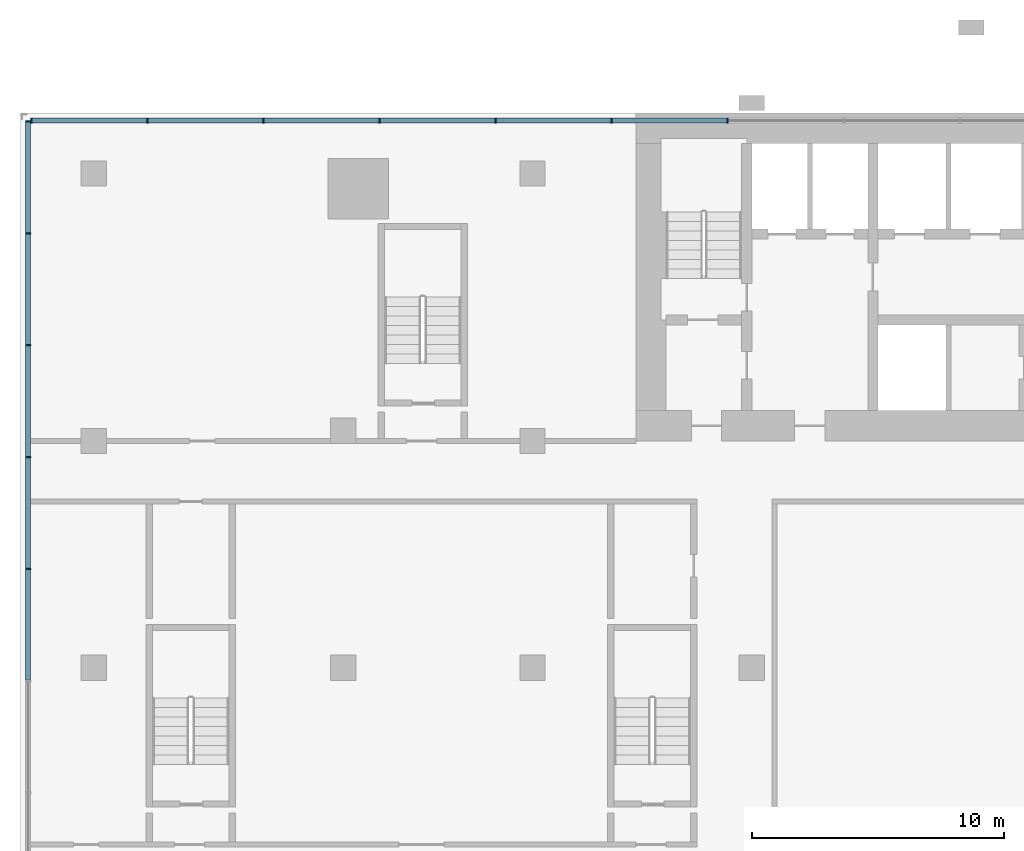
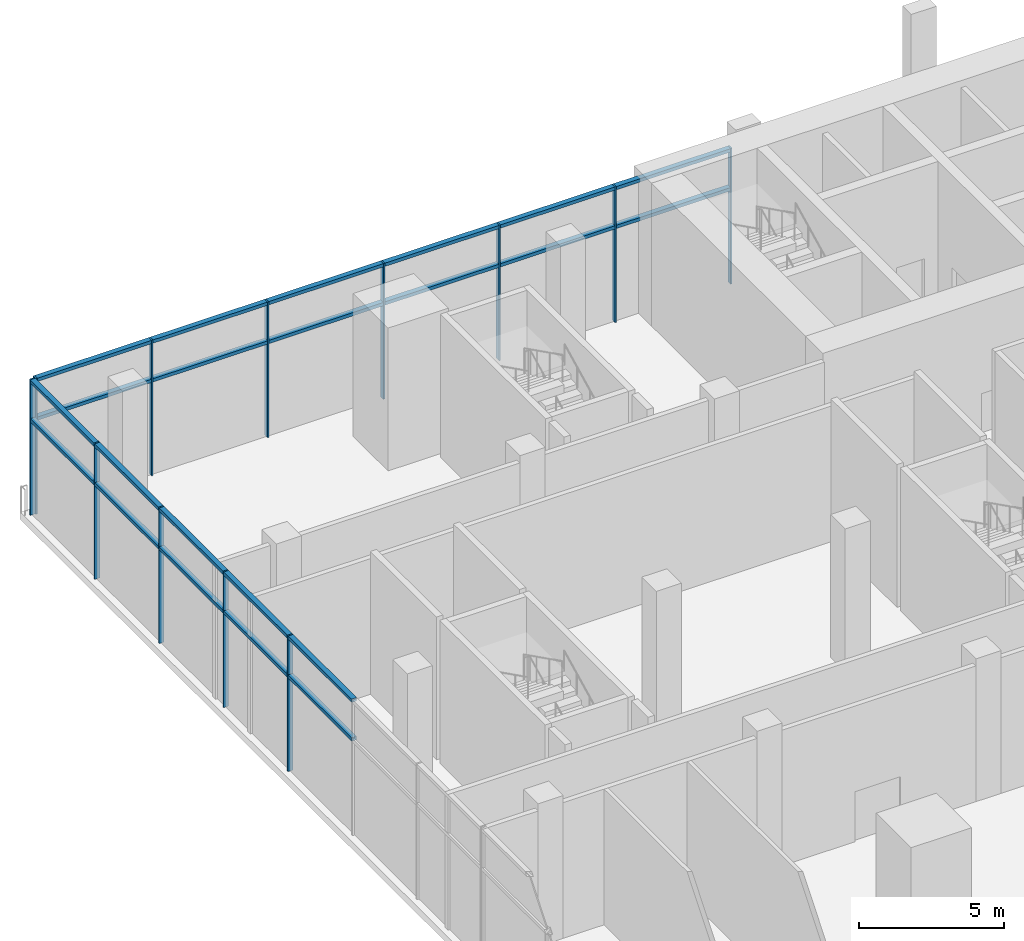
# One storey, part 5 of 21: 34 members, 2 elements without a shape of their own.
"""IFC4 building model written with IfcOpenShell, lengths in metres."""

from ifc_helpers import new_model, si_unit, direction, frame, origin, origin_2d, place, context, subcontext, project, spatial, rectangle, extrude, material, material_profile, profile_set, type_object, element, aggregate, save


model = new_model("IFC4")

# Units and contexts
model_context = context("Model", 3, precision=1e-05, world=origin(), true_north=direction((0.0, 1.0)))
body_context = subcontext(model_context, "Body", "Model", "MODEL_VIEW")
ifc_project = project(units=[si_unit("LENGTHUNIT", "METRE"), si_unit("AREAUNIT", "SQUARE_METRE"), si_unit("VOLUMEUNIT", "CUBIC_METRE"), si_unit("PLANEANGLEUNIT", "RADIAN"), si_unit("MASSUNIT", "GRAM", prefix="KILO")], contexts=[model_context])

# Site, building, storey
site_placement = place(None, origin())
site = spatial("IfcSite", under=ifc_project, at=site_placement, CompositionType="ELEMENT")
building_placement = place(site_placement, origin())
building = spatial("IfcBuilding", under=site, at=building_placement, Name="Bicima Exchange Tower", CompositionType="ELEMENT")
storey_placement = place(building_placement, frame((0.0, 0.0, 8.0)))
storey = spatial("IfcBuildingStorey", under=building, at=storey_placement, Name="L01", CompositionType="ELEMENT", Elevation=8.0)

# Curtain wall, members
ifc_material = material(Name="Anodised bronze aluminium", Category="aluminium")
curtain_wall_type = type_object("IfcCurtainWallType", Name="Lobby glazing", PredefinedType="NOTDEFINED", material=ifc_material)
curtain_wall_1_placement = place(storey_placement, origin())
curtain_wall_1 = element("IfcCurtainWall", 1, at=curtain_wall_1_placement, inside=storey, type_object=curtain_wall_type, Name="Podium glazing L01 north 1", PredefinedType="NOTDEFINED")
ifc_material_profile_1 = material_profile(ifc_material, rectangle(XDim=0.199951171875, YDim=0.06005859375, at=origin_2d()))
ifc_profile_set_1 = profile_set([ifc_material_profile_1], Name="Anodised bronze aluminium")
member_type_1 = type_object("IfcMemberType", Name="Lobby glazing mullion 60 x 200", PredefinedType="MULLION", material=ifc_profile_set_1)
member_1_placement = place(storey_placement, frame((-18.35791015625, -0.300048828125, 0.0), z_axis=(0.0, 0.0, 1.0), x_axis=(0.0, -1.0, 0.0)))
member_1 = element("IfcMember", 2, at=member_1_placement, type_object=member_type_1, Name="Lobby glazing mullion 15", PredefinedType="MULLION", context=body_context, shape_type="SweptSolid", body=[
    extrude(rectangle(XDim=0.199951171875, YDim=0.06005859375, at=origin_2d()), origin(), (0.0, 0.0, 1.0), 5.699951171875),
])
member_2_placement = place(storey_placement, frame((-22.9599609375, -0.300048828125, 0.0), z_axis=(0.0, 0.0, 1.0), x_axis=(0.0, -1.0, 0.0)))
member_2 = element("IfcMember", 3, at=member_2_placement, type_object=member_type_1, Name="Lobby glazing mullion 16", PredefinedType="MULLION", context=body_context, shape_type="SweptSolid", body=[
    extrude(rectangle(XDim=0.199951171875, YDim=0.06005859375, at=origin_2d()), origin(), (0.0, 0.0, 1.0), 5.699951171875),
])
member_3_placement = place(storey_placement, frame((-27.56201171875, -0.300048828125, 0.0), z_axis=(0.0, 0.0, 1.0), x_axis=(0.0, -1.0, 0.0)))
member_3 = element("IfcMember", 4, at=member_3_placement, type_object=member_type_1, Name="Lobby glazing mullion 17", PredefinedType="MULLION", context=body_context, shape_type="SweptSolid", body=[
    extrude(rectangle(XDim=0.199951171875, YDim=0.06005859375, at=origin_2d()), origin(), (0.0, 0.0, 1.0), 5.699951171875),
])
member_4_placement = place(storey_placement, frame((-32.1640625, -0.300048828125, 0.0), z_axis=(0.0, 0.0, 1.0), x_axis=(0.0, -1.0, 0.0)))
member_4 = element("IfcMember", 5, at=member_4_placement, type_object=member_type_1, Name="Lobby glazing mullion 18", PredefinedType="MULLION", context=body_context, shape_type="SweptSolid", body=[
    extrude(rectangle(XDim=0.199951171875, YDim=0.06005859375, at=origin_2d()), origin(), (0.0, 0.0, 1.0), 5.699951171875),
])
member_5_placement = place(storey_placement, frame((-36.76611328125, -0.300048828125, 0.0), z_axis=(0.0, 0.0, 1.0), x_axis=(0.0, -1.0, 0.0)))
member_5 = element("IfcMember", 6, at=member_5_placement, type_object=member_type_1, Name="Lobby glazing mullion 19", PredefinedType="MULLION", context=body_context, shape_type="SweptSolid", body=[
    extrude(rectangle(XDim=0.199951171875, YDim=0.06005859375, at=origin_2d()), origin(), (0.0, 0.0, 1.0), 5.699951171875),
])
member_6_placement = place(storey_placement, frame((-41.367919921875, -0.300048828125, 0.0), z_axis=(0.0, 0.0, 1.0), x_axis=(0.0, -1.0, 0.0)))
member_6 = element("IfcMember", 7, at=member_6_placement, type_object=member_type_1, Name="Lobby glazing mullion 20", PredefinedType="MULLION", context=body_context, shape_type="SweptSolid", body=[
    extrude(rectangle(XDim=0.199951171875, YDim=0.06005859375, at=origin_2d()), origin(), (0.0, 0.0, 1.0), 5.699951171875),
])
member_7_placement = place(storey_placement, frame((-45.969970703125, -0.300048828125, 0.0), z_axis=(0.0, 0.0, 1.0), x_axis=(0.0, -1.0, 0.0)))
member_7 = element("IfcMember", 8, at=member_7_placement, type_object=member_type_1, Name="Lobby glazing mullion 21", PredefinedType="MULLION", context=body_context, shape_type="SweptSolid", body=[
    extrude(rectangle(XDim=0.199951171875, YDim=0.06005859375, at=origin_2d()), origin(), (0.0, 0.0, 1.0), 5.699951171875),
])

curtain_wall_2_placement = place(storey_placement, origin())
curtain_wall_2 = element("IfcCurtainWall", 9, at=curtain_wall_2_placement, inside=storey, type_object=curtain_wall_type, Name="Podium glazing L01 west 1", PredefinedType="NOTDEFINED")
member_8_placement = place(storey_placement, frame((-46.10009765625, -0.330078125, 0.0), z_axis=(0.0, 0.0, 1.0), x_axis=(1.0, 0.0, 0.0)))
member_8 = element("IfcMember", 10, at=member_8_placement, type_object=member_type_1, Name="Lobby glazing mullion 1", PredefinedType="MULLION", context=body_context, shape_type="SweptSolid", body=[
    extrude(rectangle(XDim=0.199951171875, YDim=0.06005859375, at=origin_2d()), origin(), (0.0, 0.0, 1.0), 5.699951171875),
])
member_9_placement = place(storey_placement, frame((-46.10009765625, -4.7666015625, 0.0), z_axis=(0.0, 0.0, 1.0), x_axis=(1.0, 0.0, 0.0)))
member_9 = element("IfcMember", 11, at=member_9_placement, type_object=member_type_1, Name="Lobby glazing mullion 2", PredefinedType="MULLION", context=body_context, shape_type="SweptSolid", body=[
    extrude(rectangle(XDim=0.199951171875, YDim=0.06005859375, at=origin_2d()), origin(), (0.0, 0.0, 1.0), 5.699951171875),
])
member_10_placement = place(storey_placement, frame((-46.10009765625, -9.203369140625, 0.0), z_axis=(0.0, 0.0, 1.0), x_axis=(1.0, 0.0, 0.0)))
member_10 = element("IfcMember", 12, at=member_10_placement, type_object=member_type_1, Name="Lobby glazing mullion 3", PredefinedType="MULLION", context=body_context, shape_type="SweptSolid", body=[
    extrude(rectangle(XDim=0.199951171875, YDim=0.06005859375, at=origin_2d()), origin(), (0.0, 0.0, 1.0), 5.699951171875),
])
member_11_placement = place(storey_placement, frame((-46.10009765625, -13.639892578125, 0.0), z_axis=(0.0, 0.0, 1.0), x_axis=(1.0, 0.0, 0.0)))
member_11 = element("IfcMember", 13, at=member_11_placement, type_object=member_type_1, Name="Lobby glazing mullion 4", PredefinedType="MULLION", context=body_context, shape_type="SweptSolid", body=[
    extrude(rectangle(XDim=0.199951171875, YDim=0.06005859375, at=origin_2d()), origin(), (0.0, 0.0, 1.0), 5.699951171875),
])
member_12_placement = place(storey_placement, frame((-46.10009765625, -18.07666015625, 0.0), z_axis=(0.0, 0.0, 1.0), x_axis=(1.0, 0.0, 0.0)))
member_12 = element("IfcMember", 14, at=member_12_placement, type_object=member_type_1, Name="Lobby glazing mullion 5", PredefinedType="MULLION", context=body_context, shape_type="SweptSolid", body=[
    extrude(rectangle(XDim=0.199951171875, YDim=0.06005859375, at=origin_2d()), origin(), (0.0, 0.0, 1.0), 5.699951171875),
])

# Member
ifc_material_profile_2 = material_profile(ifc_material, rectangle(XDim=0.199951171875, YDim=0.139892578125, at=origin_2d()))
ifc_profile_set_2 = profile_set([ifc_material_profile_2], Name="Anodised bronze aluminium")
member_type_2 = type_object("IfcMemberType", Name="Lobby glazing transom 140 x 200", PredefinedType="USERDEFINED", material=ifc_profile_set_2)
member_13_placement = place(storey_placement, frame((-18.387939453125, -0.300048828125, 4.0), z_axis=(-1.0, 0.0, 0.0), x_axis=(0.0, -1.0, 0.0)))
member_13 = element("IfcMember", 15, at=member_13_placement, type_object=member_type_2, Name="Lobby glazing transom 15.1", ObjectType="TRANSOM", PredefinedType="USERDEFINED", context=body_context, shape_type="SweptSolid", body=[
    extrude(rectangle(XDim=0.199951171875, YDim=0.139892578125, at=origin_2d()), origin(), (0.0, 0.0, 1.0), 4.5419921875),
])

member_14_placement = place(storey_placement, frame((-18.387939453125, -0.300048828125, 5.6298828125), z_axis=(-1.0, 0.0, 0.0), x_axis=(0.0, -1.0, 0.0)))
member_14 = element("IfcMember", 16, at=member_14_placement, type_object=member_type_2, Name="Lobby glazing transom 15.2", ObjectType="TRANSOM", PredefinedType="USERDEFINED", context=body_context, shape_type="SweptSolid", body=[
    extrude(rectangle(XDim=0.199951171875, YDim=0.139892578125, at=origin_2d()), origin(), (0.0, 0.0, 1.0), 4.5419921875),
])

member_15_placement = place(storey_placement, frame((-22.989990234375, -0.300048828125, 4.0), z_axis=(-1.0, 0.0, 0.0), x_axis=(0.0, -1.0, 0.0)))
member_15 = element("IfcMember", 17, at=member_15_placement, type_object=member_type_2, Name="Lobby glazing transom 16.1", ObjectType="TRANSOM", PredefinedType="USERDEFINED", context=body_context, shape_type="SweptSolid", body=[
    extrude(rectangle(XDim=0.199951171875, YDim=0.139892578125, at=origin_2d()), origin(), (0.0, 0.0, 1.0), 4.5419921875),
])

member_16_placement = place(storey_placement, frame((-22.989990234375, -0.300048828125, 5.6298828125), z_axis=(-1.0, 0.0, 0.0), x_axis=(0.0, -1.0, 0.0)))
member_16 = element("IfcMember", 18, at=member_16_placement, type_object=member_type_2, Name="Lobby glazing transom 16.2", ObjectType="TRANSOM", PredefinedType="USERDEFINED", context=body_context, shape_type="SweptSolid", body=[
    extrude(rectangle(XDim=0.199951171875, YDim=0.139892578125, at=origin_2d()), origin(), (0.0, 0.0, 1.0), 4.5419921875),
])

member_17_placement = place(storey_placement, frame((-27.592041015625, -0.300048828125, 4.0), z_axis=(-1.0, 0.0, 0.0), x_axis=(0.0, -1.0, 0.0)))
member_17 = element("IfcMember", 19, at=member_17_placement, type_object=member_type_2, Name="Lobby glazing transom 17.1", ObjectType="TRANSOM", PredefinedType="USERDEFINED", context=body_context, shape_type="SweptSolid", body=[
    extrude(rectangle(XDim=0.199951171875, YDim=0.139892578125, at=origin_2d()), origin(), (0.0, 0.0, 1.0), 4.5419921875),
])

member_18_placement = place(storey_placement, frame((-27.592041015625, -0.300048828125, 5.6298828125), z_axis=(-1.0, 0.0, 0.0), x_axis=(0.0, -1.0, 0.0)))
member_18 = element("IfcMember", 20, at=member_18_placement, type_object=member_type_2, Name="Lobby glazing transom 17.2", ObjectType="TRANSOM", PredefinedType="USERDEFINED", context=body_context, shape_type="SweptSolid", body=[
    extrude(rectangle(XDim=0.199951171875, YDim=0.139892578125, at=origin_2d()), origin(), (0.0, 0.0, 1.0), 4.5419921875),
])

member_19_placement = place(storey_placement, frame((-32.194091796875, -0.300048828125, 4.0), z_axis=(-1.0, 0.0, 0.0), x_axis=(0.0, -1.0, 0.0)))
member_19 = element("IfcMember", 21, at=member_19_placement, type_object=member_type_2, Name="Lobby glazing transom 18.1", ObjectType="TRANSOM", PredefinedType="USERDEFINED", context=body_context, shape_type="SweptSolid", body=[
    extrude(rectangle(XDim=0.199951171875, YDim=0.139892578125, at=origin_2d()), origin(), (0.0, 0.0, 1.0), 4.5419921875),
])

member_20_placement = place(storey_placement, frame((-32.194091796875, -0.300048828125, 5.6298828125), z_axis=(-1.0, 0.0, 0.0), x_axis=(0.0, -1.0, 0.0)))
member_20 = element("IfcMember", 22, at=member_20_placement, type_object=member_type_2, Name="Lobby glazing transom 18.2", ObjectType="TRANSOM", PredefinedType="USERDEFINED", context=body_context, shape_type="SweptSolid", body=[
    extrude(rectangle(XDim=0.199951171875, YDim=0.139892578125, at=origin_2d()), origin(), (0.0, 0.0, 1.0), 4.5419921875),
])

member_21_placement = place(storey_placement, frame((-36.7958984375, -0.300048828125, 4.0), z_axis=(-1.0, 0.0, 0.0), x_axis=(0.0, -1.0, 0.0)))
member_21 = element("IfcMember", 23, at=member_21_placement, type_object=member_type_2, Name="Lobby glazing transom 19.1", ObjectType="TRANSOM", PredefinedType="USERDEFINED", context=body_context, shape_type="SweptSolid", body=[
    extrude(rectangle(XDim=0.199951171875, YDim=0.139892578125, at=origin_2d()), origin(), (0.0, 0.0, 1.0), 4.5419921875),
])

member_22_placement = place(storey_placement, frame((-36.7958984375, -0.300048828125, 5.6298828125), z_axis=(-1.0, 0.0, 0.0), x_axis=(0.0, -1.0, 0.0)))
member_22 = element("IfcMember", 24, at=member_22_placement, type_object=member_type_2, Name="Lobby glazing transom 19.2", ObjectType="TRANSOM", PredefinedType="USERDEFINED", context=body_context, shape_type="SweptSolid", body=[
    extrude(rectangle(XDim=0.199951171875, YDim=0.139892578125, at=origin_2d()), origin(), (0.0, 0.0, 1.0), 4.5419921875),
])

member_23_placement = place(storey_placement, frame((-41.39794921875, -0.300048828125, 4.0), z_axis=(-1.0, 0.0, 0.0), x_axis=(0.0, -1.0, 0.0)))
member_23 = element("IfcMember", 25, at=member_23_placement, type_object=member_type_2, Name="Lobby glazing transom 20.1", ObjectType="TRANSOM", PredefinedType="USERDEFINED", context=body_context, shape_type="SweptSolid", body=[
    extrude(rectangle(XDim=0.199951171875, YDim=0.139892578125, at=origin_2d()), origin(), (0.0, 0.0, 1.0), 4.5419921875),
])

member_24_placement = place(storey_placement, frame((-41.39794921875, -0.300048828125, 5.6298828125), z_axis=(-1.0, 0.0, 0.0), x_axis=(0.0, -1.0, 0.0)))
member_24 = element("IfcMember", 26, at=member_24_placement, type_object=member_type_2, Name="Lobby glazing transom 20.2", ObjectType="TRANSOM", PredefinedType="USERDEFINED", context=body_context, shape_type="SweptSolid", body=[
    extrude(rectangle(XDim=0.199951171875, YDim=0.139892578125, at=origin_2d()), origin(), (0.0, 0.0, 1.0), 4.5419921875),
])

aggregate(curtain_wall_1, [member_1, member_2, member_3, member_4, member_5, member_6, member_7, member_13, member_14, member_15, member_16, member_17, member_18, member_19, member_20, member_21, member_22, member_23, member_24])

member_25_placement = place(storey_placement, frame((-46.10009765625, -0.360107421875, 4.0), z_axis=(0.0, -1.0, 0.0), x_axis=(1.0, 0.0, 0.0)))
member_25 = element("IfcMember", 27, at=member_25_placement, type_object=member_type_2, Name="Lobby glazing transom 1.1", ObjectType="TRANSOM", PredefinedType="USERDEFINED", context=body_context, shape_type="SweptSolid", body=[
    extrude(rectangle(XDim=0.199951171875, YDim=0.139892578125, at=origin_2d()), origin(), (0.0, 0.0, 1.0), 4.376708984375),
])

member_26_placement = place(storey_placement, frame((-46.10009765625, -0.360107421875, 5.6298828125), z_axis=(0.0, -1.0, 0.0), x_axis=(1.0, 0.0, 0.0)))
member_26 = element("IfcMember", 28, at=member_26_placement, type_object=member_type_2, Name="Lobby glazing transom 1.2", ObjectType="TRANSOM", PredefinedType="USERDEFINED", context=body_context, shape_type="SweptSolid", body=[
    extrude(rectangle(XDim=0.199951171875, YDim=0.139892578125, at=origin_2d()), origin(), (0.0, 0.0, 1.0), 4.376708984375),
])

member_27_placement = place(storey_placement, frame((-46.10009765625, -4.796630859375, 4.0), z_axis=(0.0, -1.0, 0.0), x_axis=(1.0, 0.0, 0.0)))
member_27 = element("IfcMember", 29, at=member_27_placement, type_object=member_type_2, Name="Lobby glazing transom 2.1", ObjectType="TRANSOM", PredefinedType="USERDEFINED", context=body_context, shape_type="SweptSolid", body=[
    extrude(rectangle(XDim=0.199951171875, YDim=0.139892578125, at=origin_2d()), origin(), (0.0, 0.0, 1.0), 4.376708984375),
])

member_28_placement = place(storey_placement, frame((-46.10009765625, -4.796630859375, 5.6298828125), z_axis=(0.0, -1.0, 0.0), x_axis=(1.0, 0.0, 0.0)))
member_28 = element("IfcMember", 30, at=member_28_placement, type_object=member_type_2, Name="Lobby glazing transom 2.2", ObjectType="TRANSOM", PredefinedType="USERDEFINED", context=body_context, shape_type="SweptSolid", body=[
    extrude(rectangle(XDim=0.199951171875, YDim=0.139892578125, at=origin_2d()), origin(), (0.0, 0.0, 1.0), 4.376708984375),
])

member_29_placement = place(storey_placement, frame((-46.10009765625, -9.2333984375, 4.0), z_axis=(0.0, -1.0, 0.0), x_axis=(1.0, 0.0, 0.0)))
member_29 = element("IfcMember", 31, at=member_29_placement, type_object=member_type_2, Name="Lobby glazing transom 3.1", ObjectType="TRANSOM", PredefinedType="USERDEFINED", context=body_context, shape_type="SweptSolid", body=[
    extrude(rectangle(XDim=0.199951171875, YDim=0.139892578125, at=origin_2d()), origin(), (0.0, 0.0, 1.0), 4.376708984375),
])

member_30_placement = place(storey_placement, frame((-46.10009765625, -9.2333984375, 5.6298828125), z_axis=(0.0, -1.0, 0.0), x_axis=(1.0, 0.0, 0.0)))
member_30 = element("IfcMember", 32, at=member_30_placement, type_object=member_type_2, Name="Lobby glazing transom 3.2", ObjectType="TRANSOM", PredefinedType="USERDEFINED", context=body_context, shape_type="SweptSolid", body=[
    extrude(rectangle(XDim=0.199951171875, YDim=0.139892578125, at=origin_2d()), origin(), (0.0, 0.0, 1.0), 4.376708984375),
])

member_31_placement = place(storey_placement, frame((-46.10009765625, -13.669921875, 4.0), z_axis=(0.0, -1.0, 0.0), x_axis=(1.0, 0.0, 0.0)))
member_31 = element("IfcMember", 33, at=member_31_placement, type_object=member_type_2, Name="Lobby glazing transom 4.1", ObjectType="TRANSOM", PredefinedType="USERDEFINED", context=body_context, shape_type="SweptSolid", body=[
    extrude(rectangle(XDim=0.199951171875, YDim=0.139892578125, at=origin_2d()), origin(), (0.0, 0.0, 1.0), 4.376708984375),
])

member_32_placement = place(storey_placement, frame((-46.10009765625, -13.669921875, 5.6298828125), z_axis=(0.0, -1.0, 0.0), x_axis=(1.0, 0.0, 0.0)))
member_32 = element("IfcMember", 34, at=member_32_placement, type_object=member_type_2, Name="Lobby glazing transom 4.2", ObjectType="TRANSOM", PredefinedType="USERDEFINED", context=body_context, shape_type="SweptSolid", body=[
    extrude(rectangle(XDim=0.199951171875, YDim=0.139892578125, at=origin_2d()), origin(), (0.0, 0.0, 1.0), 4.376708984375),
])

member_33_placement = place(storey_placement, frame((-46.10009765625, -18.106689453125, 4.0), z_axis=(0.0, -1.0, 0.0), x_axis=(1.0, 0.0, 0.0)))
member_33 = element("IfcMember", 35, at=member_33_placement, type_object=member_type_2, Name="Lobby glazing transom 5.1", ObjectType="TRANSOM", PredefinedType="USERDEFINED", context=body_context, shape_type="SweptSolid", body=[
    extrude(rectangle(XDim=0.199951171875, YDim=0.139892578125, at=origin_2d()), origin(), (0.0, 0.0, 1.0), 4.376708984375),
])

member_34_placement = place(storey_placement, frame((-46.10009765625, -18.106689453125, 5.6298828125), z_axis=(0.0, -1.0, 0.0), x_axis=(1.0, 0.0, 0.0)))
member_34 = element("IfcMember", 36, at=member_34_placement, type_object=member_type_2, Name="Lobby glazing transom 5.2", ObjectType="TRANSOM", PredefinedType="USERDEFINED", context=body_context, shape_type="SweptSolid", body=[
    extrude(rectangle(XDim=0.199951171875, YDim=0.139892578125, at=origin_2d()), origin(), (0.0, 0.0, 1.0), 4.376708984375),
])

aggregate(curtain_wall_2, [member_8, member_9, member_10, member_11, member_12, member_25, member_26, member_27, member_28, member_29, member_30, member_31, member_32, member_33, member_34])

save(model, "model.ifc")
